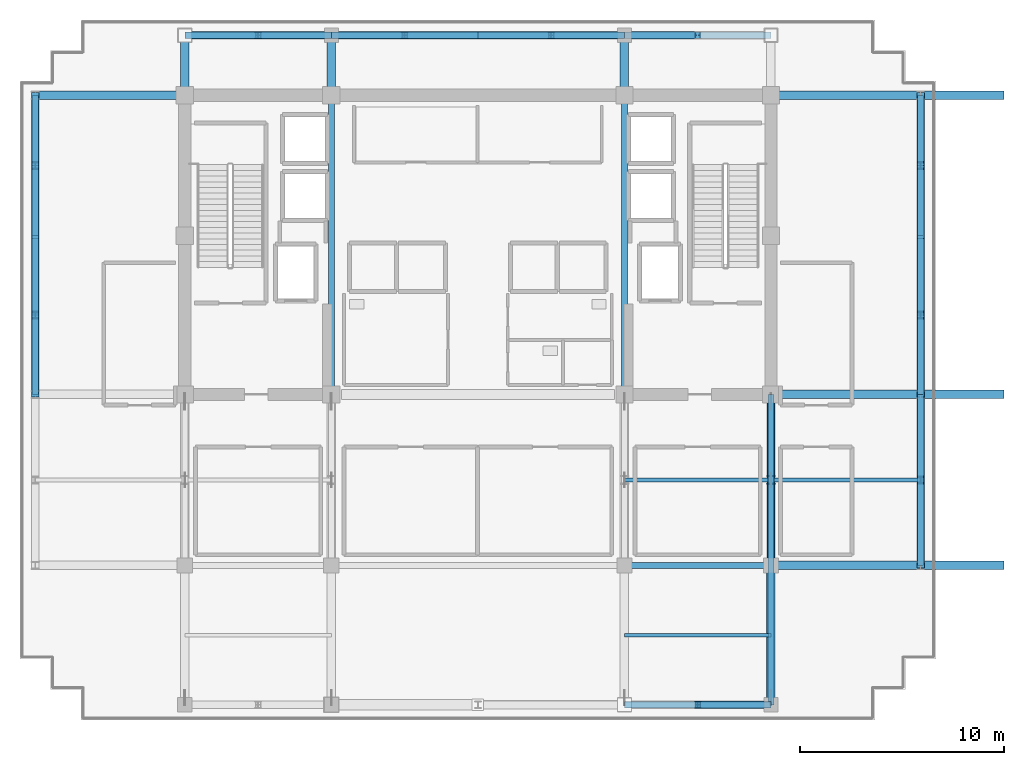
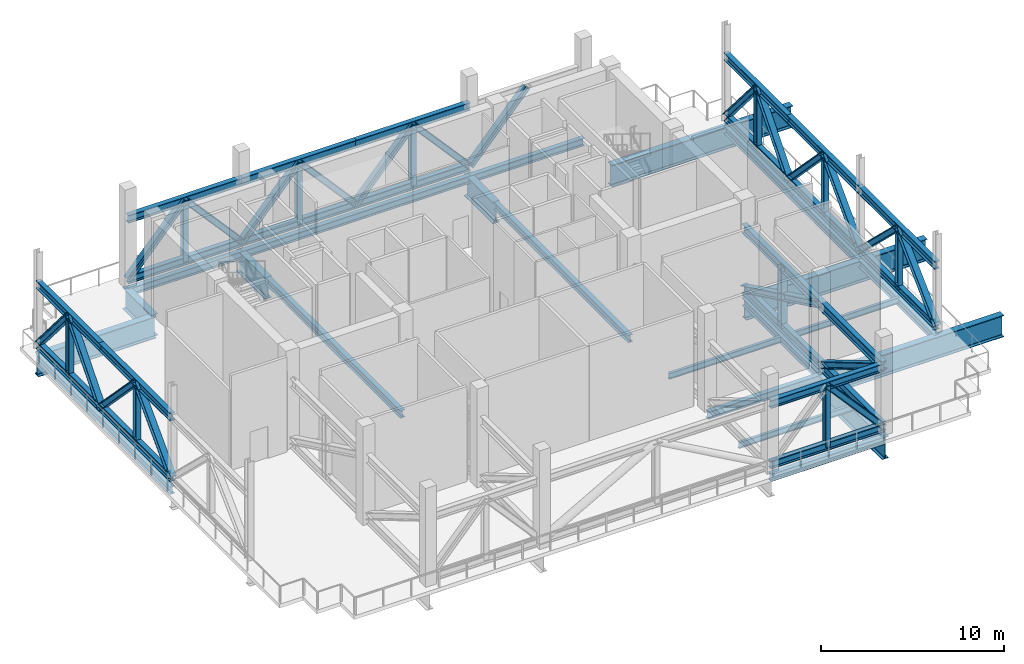
# One storey, part 2 of 11: 50 members, 22 beams.
"""IFC4 building model written with IfcOpenShell, lengths in metres."""

from ifc_helpers import new_model, si_unit, direction, frame, origin, origin_2d, place, context, subcontext, project, spatial, i_section, extrude, source, transform, mapped, material, material_profile, profile_set, type_object, element, save


model = new_model("IFC4")

# Units and contexts
model_context = context("Model", 3, precision=1e-05, world=origin(), true_north=direction((0.0, 1.0)))
body_context = subcontext(model_context, "Body", "Model", "MODEL_VIEW")
ifc_project = project(units=[si_unit("LENGTHUNIT", "METRE"), si_unit("AREAUNIT", "SQUARE_METRE"), si_unit("VOLUMEUNIT", "CUBIC_METRE"), si_unit("PLANEANGLEUNIT", "RADIAN"), si_unit("MASSUNIT", "GRAM", prefix="KILO")], contexts=[model_context])

# Site, building, storey
site_placement = place(None, origin())
site = spatial("IfcSite", under=ifc_project, at=site_placement, CompositionType="ELEMENT")
building_placement = place(site_placement, origin())
building = spatial("IfcBuilding", under=site, at=building_placement, Name="Zarnakvel Exchange Tower", CompositionType="ELEMENT")
storey_placement = place(building_placement, frame((0.0, 0.0, 199.0)))
storey = spatial("IfcBuildingStorey", under=building, at=storey_placement, Name="L56", CompositionType="ELEMENT", Elevation=199.0)

# Beams
ifc_material_1 = material(Name="Steel S355", Category="steel")
ifc_material_profile_1 = material_profile(ifc_material_1, i_section(OverallWidth=0.179931640625, OverallDepth=0.39990234375, WebThickness=0.008544921875, FlangeThickness=0.013427734375, FilletRadius=0.02099609375, at=origin_2d()))
ifc_profile_set_1 = profile_set([ifc_material_profile_1], Name="Steel S355")
beam_type_1 = type_object("IfcBeamType", Name="B-06", PredefinedType="JOIST", material=ifc_profile_set_1)
beam_1_placement = place(storey_placement, frame((7.199951171875, -13.02490234375, -0.449951171875), z_axis=(1.0, 0.0, 0.0), x_axis=(0.0, 1.0, 0.0)))
element("IfcBeam", 1, at=beam_1_placement, inside=storey, type_object=beam_type_1, Name="L56 Composite Floor Secondary Joist", PredefinedType="JOIST", context=body_context, shape_type="SweptSolid", body=[
    extrude(i_section(OverallWidth=0.179931640625, OverallDepth=0.39990234375, WebThickness=0.008544921875, FlangeThickness=0.013427734375, FilletRadius=0.02099609375, at=origin_2d()), origin(), (0.0, 0.0, 1.0), 7.199951171875),
])
beam_2_placement = place(storey_placement, frame((7.199951171875, -5.39990234375, -0.449951171875), z_axis=(1.0, 0.0, 0.0), x_axis=(0.0, 1.0, 0.0)))
element("IfcBeam", 2, at=beam_2_placement, inside=storey, type_object=beam_type_1, Name="L56 Composite Floor Secondary Joist", PredefinedType="JOIST", context=body_context, shape_type="SweptSolid", body=[
    extrude(i_section(OverallWidth=0.179931640625, OverallDepth=0.39990234375, WebThickness=0.008544921875, FlangeThickness=0.013427734375, FilletRadius=0.02099609375, at=origin_2d()), origin(), (0.0, 0.0, 1.0), 7.050048828125),
])
beam_3_placement = place(storey_placement, frame((14.550048828125, -5.39990234375, -0.449951171875), z_axis=(1.0, 0.0, 0.0), x_axis=(0.0, 1.0, 0.0)))
element("IfcBeam", 3, at=beam_3_placement, inside=storey, type_object=beam_type_1, Name="L56 Composite Floor Secondary Joist", PredefinedType="JOIST", context=body_context, shape_type="SweptSolid", body=[
    extrude(i_section(OverallWidth=0.179931640625, OverallDepth=0.39990234375, WebThickness=0.008544921875, FlangeThickness=0.013427734375, FilletRadius=0.02099609375, at=origin_2d()), origin(), (0.0, 0.0, 1.0), 7.199951171875),
])
ifc_material_profile_2 = material_profile(ifc_material_1, i_section(OverallWidth=0.300048828125, OverallDepth=0.5, WebThickness=0.014404296875, FlangeThickness=0.028076171875, FilletRadius=0.027099609375, at=origin_2d()))
ifc_profile_set_2 = profile_set([ifc_material_profile_2], Name="Steel S355")
beam_type_2 = type_object("IfcBeamType", Name="G-06", PredefinedType="BEAM", material=ifc_profile_set_2)
beam_4_placement = place(storey_placement, frame((7.199951171875, -9.60009765625, -0.5), z_axis=(1.0, 0.0, 0.0), x_axis=(0.0, 1.0, 0.0)))
element("IfcBeam", 4, at=beam_4_placement, inside=storey, type_object=beam_type_2, Name="L56 Tower E-W Frame Beam", PredefinedType="BEAM", context=body_context, shape_type="SweptSolid", body=[
    extrude(i_section(OverallWidth=0.300048828125, OverallDepth=0.5, WebThickness=0.014404296875, FlangeThickness=0.028076171875, FilletRadius=0.027099609375, at=origin_2d()), origin(), (0.0, 0.0, 1.0), 7.199951171875),
])
for number, where, z_axis, x_axis, name in (
    (5, (-7.199951171875, -1.199951171875, -0.5), (0.0, 1.0, 0.0), (-1.0, 0.0, 0.0), "L56 Tower N-S Frame Beam"),
    (6, (7.199951171875, -1.199951171875, -0.5), (0.0, 1.0, 0.0), (-1.0, 0.0, 0.0), "L56 Tower N-S Frame Beam"),
):
    element("IfcBeam", number, at=place(storey_placement, frame(where, z_axis=z_axis, x_axis=x_axis)), inside=storey, type_object=beam_type_2, Name=name, PredefinedType="BEAM", context=body_context, shape_type="SweptSolid", body=[
        extrude(i_section(OverallWidth=0.300048828125, OverallDepth=0.5, WebThickness=0.014404296875, FlangeThickness=0.028076171875, FilletRadius=0.027099609375, at=origin_2d()), origin(), (0.0, 0.0, 1.0), 14.699951171875),
    ])
beam_5_placement = place(storey_placement, frame((14.39990234375, -9.60009765625, -0.5), z_axis=(0.0, 1.0, 0.0), x_axis=(-1.0, 0.0, 0.0)))
element("IfcBeam", 7, at=beam_5_placement, inside=storey, type_object=beam_type_2, Name="L56 Tower N-S Frame Beam", PredefinedType="BEAM", context=body_context, shape_type="SweptSolid", body=[
    extrude(i_section(OverallWidth=0.300048828125, OverallDepth=0.5, WebThickness=0.014404296875, FlangeThickness=0.028076171875, FilletRadius=0.027099609375, at=origin_2d()), origin(), (0.0, 0.0, 1.0), 8.400146484375),
])
ifc_material_profile_3 = material_profile(ifc_material_1, i_section(OverallWidth=0.300048828125, OverallDepth=0.5, WebThickness=0.014404296875, FlangeThickness=0.028076171875, FilletRadius=0.027099609375, at=origin_2d()))
ifc_profile_set_3 = profile_set([ifc_material_profile_3], Name="Steel S355")
beam_type_3 = type_object("IfcBeamType", Name="SP-02", PredefinedType="SPANDREL", material=ifc_profile_set_3)
for number, where, z_axis, x_axis, name in (
    (8, (7.199951171875, -16.449951171875, -0.5), (1.0, 0.0, 0.0), (0.0, 1.0, 0.0), "L56 Tower E-W Frame Beam"),
    (9, (-14.39990234375, 16.449951171875, -0.5), (1.0, 0.0, 0.0), (0.0, 1.0, 0.0), "L56 Tower E-W Frame Beam"),
):
    element("IfcBeam", number, at=place(storey_placement, frame(where, z_axis=z_axis, x_axis=x_axis)), inside=storey, type_object=beam_type_3, Name=name, PredefinedType="SPANDREL", context=body_context, shape_type="SweptSolid", body=[
        extrude(i_section(OverallWidth=0.300048828125, OverallDepth=0.5, WebThickness=0.014404296875, FlangeThickness=0.028076171875, FilletRadius=0.027099609375, at=origin_2d()), origin(), (0.0, 0.0, 1.0), 7.199951171875),
    ])
beam_6_placement = place(storey_placement, frame((-7.199951171875, 16.449951171875, -0.5), z_axis=(1.0, 0.0, 0.0), x_axis=(0.0, 1.0, 0.0)))
element("IfcBeam", 10, at=beam_6_placement, inside=storey, type_object=beam_type_3, Name="L56 Tower E-W Frame Beam", PredefinedType="SPANDREL", context=body_context, shape_type="SweptSolid", body=[
    extrude(i_section(OverallWidth=0.300048828125, OverallDepth=0.5, WebThickness=0.014404296875, FlangeThickness=0.028076171875, FilletRadius=0.027099609375, at=origin_2d()), origin(), (0.0, 0.0, 1.0), 14.39990234375),
])
beam_7_placement = place(storey_placement, frame((7.199951171875, 16.449951171875, -0.5), z_axis=(1.0, 0.0, 0.0), x_axis=(0.0, 1.0, 0.0)))
element("IfcBeam", 11, at=beam_7_placement, inside=storey, type_object=beam_type_3, Name="L56 Tower E-W Frame Beam", PredefinedType="SPANDREL", context=body_context, shape_type="SweptSolid", body=[
    extrude(i_section(OverallWidth=0.300048828125, OverallDepth=0.5, WebThickness=0.014404296875, FlangeThickness=0.028076171875, FilletRadius=0.027099609375, at=origin_2d()), origin(), (0.0, 0.0, 1.0), 7.199951171875),
])
beam_8_placement = place(storey_placement, frame((-21.75, -1.199951171875, -0.5), z_axis=(0.0, 1.0, 0.0), x_axis=(-1.0, 0.0, 0.0)))
element("IfcBeam", 12, at=beam_8_placement, inside=storey, type_object=beam_type_3, Name="L56 Tower N-S Frame Beam", PredefinedType="SPANDREL", context=body_context, shape_type="SweptSolid", body=[
    extrude(i_section(OverallWidth=0.300048828125, OverallDepth=0.5, WebThickness=0.014404296875, FlangeThickness=0.028076171875, FilletRadius=0.027099609375, at=origin_2d()), origin(), (0.0, 0.0, 1.0), 14.699951171875),
])
beam_9_placement = place(storey_placement, frame((21.75, -9.60009765625, -0.5), z_axis=(0.0, 1.0, 0.0), x_axis=(-1.0, 0.0, 0.0)))
element("IfcBeam", 13, at=beam_9_placement, inside=storey, type_object=beam_type_3, Name="L56 Tower N-S Frame Beam", PredefinedType="SPANDREL", context=body_context, shape_type="SweptSolid", body=[
    extrude(i_section(OverallWidth=0.300048828125, OverallDepth=0.5, WebThickness=0.014404296875, FlangeThickness=0.028076171875, FilletRadius=0.027099609375, at=origin_2d()), origin(), (0.0, 0.0, 1.0), 8.400146484375),
])
beam_10_placement = place(storey_placement, frame((21.75, -1.199951171875, -0.5), z_axis=(0.0, 1.0, 0.0), x_axis=(-1.0, 0.0, 0.0)))
element("IfcBeam", 14, at=beam_10_placement, inside=storey, type_object=beam_type_3, Name="L56 Tower N-S Frame Beam", PredefinedType="SPANDREL", context=body_context, shape_type="SweptSolid", body=[
    extrude(i_section(OverallWidth=0.300048828125, OverallDepth=0.5, WebThickness=0.014404296875, FlangeThickness=0.028076171875, FilletRadius=0.027099609375, at=origin_2d()), origin(), (0.0, 0.0, 1.0), 14.699951171875),
])
ifc_material_2 = material(Name="Steel S460", Category="steel")
ifc_material_profile_4 = material_profile(ifc_material_2, i_section(OverallWidth=0.419921875, OverallDepth=1.449951171875, WebThickness=0.02392578125, FlangeThickness=0.0400390625, FilletRadius=0.030029296875, at=origin_2d()))
ifc_profile_set_4 = profile_set([ifc_material_profile_4], Name="Steel S460")
beam_type_4 = type_object("IfcBeamType", Name="TG-01", PredefinedType="BEAM", material=ifc_profile_set_4)
for number, where, z_axis, x_axis, name in (
    (15, (-14.39990234375, 13.5, -0.97509765625), (0.0, 1.0, 0.0), (-1.0, 0.0, 0.0), "L56 Setback N-S Transfer Girder TN-4"),
    (16, (-7.199951171875, 13.5, -0.97509765625), (0.0, 1.0, 0.0), (-1.0, 0.0, 0.0), "L56 Setback N-S Transfer Girder TN-5"),
    (17, (7.199951171875, 13.5, -0.97509765625), (0.0, 1.0, 0.0), (-1.0, 0.0, 0.0), "L56 Setback N-S Transfer Girder TN-8"),
):
    element("IfcBeam", number, at=place(storey_placement, frame(where, z_axis=z_axis, x_axis=x_axis)), inside=storey, type_object=beam_type_4, Name=name, PredefinedType="BEAM", context=body_context, shape_type="SweptSolid", body=[
        extrude(i_section(OverallWidth=0.419921875, OverallDepth=1.449951171875, WebThickness=0.02392578125, FlangeThickness=0.0400390625, FilletRadius=0.030029296875, at=origin_2d()), origin(), (0.0, 0.0, 1.0), 3.14990234375),
    ])
beam_11_placement = place(storey_placement, frame((14.39990234375, -16.64990234375, -0.97509765625), z_axis=(0.0, 1.0, 0.0), x_axis=(-1.0, 0.0, 0.0)))
element("IfcBeam", 18, at=beam_11_placement, inside=storey, type_object=beam_type_4, Name="L56 Setback N-S Transfer Girder TS-9", PredefinedType="BEAM", context=body_context, shape_type="SweptSolid", body=[
    extrude(i_section(OverallWidth=0.419921875, OverallDepth=1.449951171875, WebThickness=0.02392578125, FlangeThickness=0.0400390625, FilletRadius=0.030029296875, at=origin_2d()), origin(), (0.0, 0.0, 1.0), 7.0498046875),
])
for number, where, z_axis, x_axis, name in (
    (19, (14.39990234375, -9.60009765625, -0.97509765625), (1.0, 0.0, 0.0), (0.0, 1.0, 0.0), "L56 Setback E-W Transfer Girder TE-C"),
    (20, (14.39990234375, -1.199951171875, -0.97509765625), (1.0, 0.0, 0.0), (0.0, 1.0, 0.0), "L56 Setback E-W Transfer Girder TE-D"),
):
    element("IfcBeam", number, at=place(storey_placement, frame(where, z_axis=z_axis, x_axis=x_axis)), inside=storey, type_object=beam_type_4, Name=name, PredefinedType="BEAM", context=body_context, shape_type="SweptSolid", body=[
        extrude(i_section(OverallWidth=0.419921875, OverallDepth=1.449951171875, WebThickness=0.02392578125, FlangeThickness=0.0400390625, FilletRadius=0.030029296875, at=origin_2d()), origin(), (0.0, 0.0, 1.0), 11.4501953125),
    ])
beam_12_placement = place(storey_placement, frame((-21.85009765625, 13.5, -0.97509765625), z_axis=(1.0, 0.0, 0.0), x_axis=(0.0, 1.0, 0.0)))
element("IfcBeam", 21, at=beam_12_placement, inside=storey, type_object=beam_type_4, Name="L56 Setback E-W Transfer Girder TW-F", PredefinedType="BEAM", context=body_context, shape_type="SweptSolid", body=[
    extrude(i_section(OverallWidth=0.419921875, OverallDepth=1.449951171875, WebThickness=0.02392578125, FlangeThickness=0.0400390625, FilletRadius=0.030029296875, at=origin_2d()), origin(), (0.0, 0.0, 1.0), 7.4501953125),
])
beam_13_placement = place(storey_placement, frame((14.39990234375, 13.5, -0.97509765625), z_axis=(1.0, 0.0, 0.0), x_axis=(0.0, 1.0, 0.0)))
element("IfcBeam", 22, at=beam_13_placement, inside=storey, type_object=beam_type_4, Name="L56 Setback E-W Transfer Girder TE-F", PredefinedType="BEAM", context=body_context, shape_type="SweptSolid", body=[
    extrude(i_section(OverallWidth=0.419921875, OverallDepth=1.449951171875, WebThickness=0.02392578125, FlangeThickness=0.0400390625, FilletRadius=0.030029296875, at=origin_2d()), origin(), (0.0, 0.0, 1.0), 11.4501953125),
])

# Members
ifc_material_profile_5 = material_profile(ifc_material_2, i_section(OverallWidth=0.412109375, OverallDepth=0.425048828125, WebThickness=0.02587890625, FlangeThickness=0.0390625, FilletRadius=0.014892578125, at=origin_2d()))
ifc_profile_set_5 = profile_set([ifc_material_profile_5], Name="Steel S460")
member_type_1 = type_object("IfcMemberType", Name="OT-01", PredefinedType="BRACE", material=ifc_profile_set_5)
shared_shape_1 = source(origin(), body_context, "Body", "SweptSolid", [
    extrude(i_section(OverallWidth=0.412109375, OverallDepth=0.425048828125, WebThickness=0.02587890625, FlangeThickness=0.0390625, FilletRadius=0.014892578125, at=origin_2d()), origin(), (0.0, 0.0, 1.0), 9.325439453125),
])
member_1_placement = place(storey_placement, frame((14.39990234375, -1.199951171875, 0.35009765625), z_axis=(0.0, -0.900779837263, 0.43427604675), x_axis=(1.0, 0.0, 0.0)))
element("IfcMember", 23, at=member_1_placement, inside=storey, type_object=member_type_1, Name="L56 Outrigger Inner Diagonal 1 Grid 9", PredefinedType="BRACE", context=body_context, shape_type="MappedRepresentation", body=[
    mapped(shared_shape_1, transform((0.0, 0.0, 0.0), x_axis=(1.0, 0.0, 0.0), y_axis=(0.0, 1.0, 0.0), z_axis=(0.0, 0.0, 1.0), scale=1.0)),
])
ifc_material_profile_6 = material_profile(ifc_material_1, i_section(OverallWidth=0.305908203125, OverallDepth=0.52392578125, WebThickness=0.02099609375, FlangeThickness=0.0400390625, FilletRadius=0.027099609375, at=origin_2d()))
ifc_profile_set_6 = profile_set([ifc_material_profile_6], Name="Steel S355")
member_type_2 = type_object("IfcMemberType", Name="BT-02", PredefinedType="CHORD", material=ifc_profile_set_6)
shared_shape_2 = source(origin(), body_context, "Body", "SweptSolid", [
    extrude(i_section(OverallWidth=0.305908203125, OverallDepth=0.52392578125, WebThickness=0.02099609375, FlangeThickness=0.0400390625, FilletRadius=0.027099609375, at=origin_2d()), origin(), (0.0, 0.0, 1.0), 7.199951171875),
])
for number, where, z_axis, x_axis, name in (
    (24, (7.199951171875, -16.449951171875, 0.35009765625), (1.0, 0.0, 0.0), (0.0, 1.0, 0.0), "L56 Belt Truss Bottom Chord S-E1"),
    (25, (7.199951171875, -16.449951171875, 4.39990234375), (1.0, 0.0, 0.0), (0.0, 1.0, 0.0), "L56 Belt Truss Top Chord S-E1"),
    (26, (-14.39990234375, 16.449951171875, 0.35009765625), (1.0, 0.0, 0.0), (0.0, 1.0, 0.0), "L56 Belt Truss Bottom Chord N-W1"),
    (27, (-14.39990234375, 16.449951171875, 4.39990234375), (1.0, 0.0, 0.0), (0.0, 1.0, 0.0), "L56 Belt Truss Top Chord N-W1"),
    (28, (-7.199951171875, 16.449951171875, 0.35009765625), (1.0, 0.0, 0.0), (0.0, 1.0, 0.0), "L56 Belt Truss Bottom Chord N-C1"),
    (29, (-7.199951171875, 16.449951171875, 4.39990234375), (1.0, 0.0, 0.0), (0.0, 1.0, 0.0), "L56 Belt Truss Top Chord N-C1"),
    (30, (0.0, 16.449951171875, 0.35009765625), (1.0, 0.0, 0.0), (0.0, 1.0, 0.0), "L56 Belt Truss Bottom Chord N-C2"),
    (31, (0.0, 16.449951171875, 4.39990234375), (1.0, 0.0, 0.0), (0.0, 1.0, 0.0), "L56 Belt Truss Top Chord N-C2"),
):
    element("IfcMember", number, at=place(storey_placement, frame(where, z_axis=z_axis, x_axis=x_axis)), inside=storey, type_object=member_type_2, Name=name, PredefinedType="CHORD", context=body_context, shape_type="MappedRepresentation", body=[
        mapped(shared_shape_2, transform((0.0, 0.0, 0.0), x_axis=(1.0, 0.0, 0.0), y_axis=(0.0, 1.0, 0.0), z_axis=(0.0, 0.0, 1.0), scale=1.0)),
    ])
ifc_material_profile_7 = material_profile(ifc_material_1, i_section(OverallWidth=0.3740234375, OverallDepth=0.364013671875, WebThickness=0.01806640625, FlangeThickness=0.027587890625, FilletRadius=0.014892578125, at=origin_2d()))
ifc_profile_set_7 = profile_set([ifc_material_profile_7], Name="Steel S355")
member_type_3 = type_object("IfcMemberType", Name="BT-01", PredefinedType="BRACE", material=ifc_profile_set_7)
shared_shape_3 = source(origin(), body_context, "Body", "SweptSolid", [
    extrude(i_section(OverallWidth=0.3740234375, OverallDepth=0.364013671875, WebThickness=0.01806640625, FlangeThickness=0.027587890625, FilletRadius=0.014892578125, at=origin_2d()), origin(), (0.0, 0.0, 1.0), 5.418701171875),
])
for number, where, z_axis, x_axis, name in (
    (32, (-7.199951171875, 16.449951171875, 0.35009765625), (-0.664391803991, 0.0, 0.747384459826), (0.0, -1.0, 0.0), "L56 Belt Truss Chevron Right N-W1"),
    (33, (0.0, 16.449951171875, 0.35009765625), (-0.664391803991, 0.0, 0.747384459826), (0.0, -1.0, 0.0), "L56 Belt Truss Chevron Right N-C1"),
    (34, (0.0, 16.449951171875, 0.35009765625), (0.664391803991, 0.0, 0.747384459826), (0.0, 1.0, 0.0), "L56 Belt Truss Chevron Left N-C2"),
    (35, (7.199951171875, 16.449951171875, 0.35009765625), (0.664391803991, 0.0, 0.747384459826), (0.0, 1.0, 0.0), "L56 Belt Truss Chevron Left N-E1"),
):
    element("IfcMember", number, at=place(storey_placement, frame(where, z_axis=z_axis, x_axis=x_axis)), inside=storey, type_object=member_type_3, Name=name, PredefinedType="BRACE", context=body_context, shape_type="MappedRepresentation", body=[
        mapped(shared_shape_3, transform((0.0, 0.0, 0.0), x_axis=(1.0, 0.0, 0.0), y_axis=(0.0, 1.0, 0.0), z_axis=(0.0, 0.0, 1.0), scale=1.0)),
    ])
shared_shape_4 = source(origin(), body_context, "Body", "SweptSolid", [
    extrude(i_section(OverallWidth=0.305908203125, OverallDepth=0.52392578125, WebThickness=0.02099609375, FlangeThickness=0.0400390625, FilletRadius=0.027099609375, at=origin_2d()), origin(), (0.0, 0.0, 1.0), 8.400146484375),
])
for number, where, z_axis, x_axis, name in (
    (36, (21.75, -9.60009765625, 0.35009765625), (0.0, 1.0, 0.0), (-1.0, 0.0, 0.0), "L56 Belt Truss Bottom Chord E-1"),
    (37, (21.75, -9.60009765625, 4.39990234375), (0.0, 1.0, 0.0), (-1.0, 0.0, 0.0), "L56 Belt Truss Top Chord E-1"),
):
    element("IfcMember", number, at=place(storey_placement, frame(where, z_axis=z_axis, x_axis=x_axis)), inside=storey, type_object=member_type_2, Name=name, PredefinedType="CHORD", context=body_context, shape_type="MappedRepresentation", body=[
        mapped(shared_shape_4, transform((0.0, 0.0, 0.0), x_axis=(1.0, 0.0, 0.0), y_axis=(0.0, 1.0, 0.0), z_axis=(0.0, 0.0, 1.0), scale=1.0)),
    ])
shared_shape_5 = source(origin(), body_context, "Body", "SweptSolid", [
    extrude(i_section(OverallWidth=0.3740234375, OverallDepth=0.364013671875, WebThickness=0.01806640625, FlangeThickness=0.027587890625, FilletRadius=0.014892578125, at=origin_2d()), origin(), (0.0, 0.0, 1.0), 5.834716796875),
])
member_2_placement = place(storey_placement, frame((21.75, -9.60009765625, 0.35009765625), z_axis=(0.0, 0.719877149992, 0.694101497563), x_axis=(-1.0, 0.0, 0.0)))
element("IfcMember", 38, at=member_2_placement, inside=storey, type_object=member_type_3, Name="L56 Belt Truss Chevron Left E-1", PredefinedType="BRACE", context=body_context, shape_type="MappedRepresentation", body=[
    mapped(shared_shape_5, transform((0.0, 0.0, 0.0), x_axis=(1.0, 0.0, 0.0), y_axis=(0.0, 1.0, 0.0), z_axis=(0.0, 0.0, 1.0), scale=1.0)),
])
shared_shape_6 = source(origin(), body_context, "Body", "SweptSolid", [
    extrude(i_section(OverallWidth=0.3740234375, OverallDepth=0.364013671875, WebThickness=0.01806640625, FlangeThickness=0.027587890625, FilletRadius=0.014892578125, at=origin_2d()), origin(), (0.0, 0.0, 1.0), 5.83447265625),
])
member_3_placement = place(storey_placement, frame((21.75, -1.199951171875, 0.35009765625), z_axis=(0.0, -0.719856989806, 0.694122405796), x_axis=(1.0, 0.0, 0.0)))
element("IfcMember", 39, at=member_3_placement, inside=storey, type_object=member_type_3, Name="L56 Belt Truss Chevron Right E-1", PredefinedType="BRACE", context=body_context, shape_type="MappedRepresentation", body=[
    mapped(shared_shape_6, transform((0.0, 0.0, 0.0), x_axis=(1.0, 0.0, 0.0), y_axis=(0.0, 1.0, 0.0), z_axis=(0.0, 0.0, 1.0), scale=1.0)),
])
shared_shape_7 = source(origin(), body_context, "Body", "SweptSolid", [
    extrude(i_section(OverallWidth=0.305908203125, OverallDepth=0.52392578125, WebThickness=0.02099609375, FlangeThickness=0.0400390625, FilletRadius=0.027099609375, at=origin_2d()), origin(), (0.0, 0.0, 1.0), 7.800048828125),
])
for number, where, z_axis, x_axis, name in (
    (40, (-21.75, -1.199951171875, 0.35009765625), (0.0, 1.0, 0.0), (-1.0, 0.0, 0.0), "L56 Belt Truss Bottom Chord W-2"),
    (41, (-21.75, -1.199951171875, 4.39990234375), (0.0, 1.0, 0.0), (-1.0, 0.0, 0.0), "L56 Belt Truss Top Chord W-2"),
    (42, (21.75, -1.199951171875, 0.35009765625), (0.0, 1.0, 0.0), (-1.0, 0.0, 0.0), "L56 Belt Truss Bottom Chord E-2"),
    (43, (21.75, -1.199951171875, 4.39990234375), (0.0, 1.0, 0.0), (-1.0, 0.0, 0.0), "L56 Belt Truss Top Chord E-2"),
):
    element("IfcMember", number, at=place(storey_placement, frame(where, z_axis=z_axis, x_axis=x_axis)), inside=storey, type_object=member_type_2, Name=name, PredefinedType="CHORD", context=body_context, shape_type="MappedRepresentation", body=[
        mapped(shared_shape_7, transform((0.0, 0.0, 0.0), x_axis=(1.0, 0.0, 0.0), y_axis=(0.0, 1.0, 0.0), z_axis=(0.0, 0.0, 1.0), scale=1.0)),
    ])
shared_shape_8 = source(origin(), body_context, "Body", "SweptSolid", [
    extrude(i_section(OverallWidth=0.3740234375, OverallDepth=0.364013671875, WebThickness=0.01806640625, FlangeThickness=0.027587890625, FilletRadius=0.014892578125, at=origin_2d()), origin(), (0.0, 0.0, 1.0), 5.62255859375),
])
for number, where, z_axis, x_axis, name in (
    (44, (-21.75, 6.60009765625, 0.35009765625), (0.0, -0.693672561133, 0.720290481633), (1.0, 0.0, 0.0), "L56 Belt Truss Chevron Right W-2"),
    (45, (21.75, 6.60009765625, 0.35009765625), (0.0, -0.693672561133, 0.720290481633), (1.0, 0.0, 0.0), "L56 Belt Truss Chevron Right E-2"),
):
    element("IfcMember", number, at=place(storey_placement, frame(where, z_axis=z_axis, x_axis=x_axis)), inside=storey, type_object=member_type_3, Name=name, PredefinedType="BRACE", context=body_context, shape_type="MappedRepresentation", body=[
        mapped(shared_shape_8, transform((0.0, 0.0, 0.0), x_axis=(1.0, 0.0, 0.0), y_axis=(0.0, 1.0, 0.0), z_axis=(0.0, 0.0, 1.0), scale=1.0)),
    ])
shared_shape_9 = source(origin(), body_context, "Body", "SweptSolid", [
    extrude(i_section(OverallWidth=0.305908203125, OverallDepth=0.52392578125, WebThickness=0.02099609375, FlangeThickness=0.0400390625, FilletRadius=0.027099609375, at=origin_2d()), origin(), (0.0, 0.0, 1.0), 6.89990234375),
])
for number, where, z_axis, x_axis, name in (
    (46, (-21.75, 6.60009765625, 0.35009765625), (0.0, 1.0, 0.0), (-1.0, 0.0, 0.0), "L56 Belt Truss Bottom Chord W-3"),
    (47, (-21.75, 6.60009765625, 4.39990234375), (0.0, 1.0, 0.0), (-1.0, 0.0, 0.0), "L56 Belt Truss Top Chord W-3"),
    (48, (21.75, 6.60009765625, 0.35009765625), (0.0, 1.0, 0.0), (-1.0, 0.0, 0.0), "L56 Belt Truss Bottom Chord E-3"),
    (49, (21.75, 6.60009765625, 4.39990234375), (0.0, 1.0, 0.0), (-1.0, 0.0, 0.0), "L56 Belt Truss Top Chord E-3"),
):
    element("IfcMember", number, at=place(storey_placement, frame(where, z_axis=z_axis, x_axis=x_axis)), inside=storey, type_object=member_type_2, Name=name, PredefinedType="CHORD", context=body_context, shape_type="MappedRepresentation", body=[
        mapped(shared_shape_9, transform((0.0, 0.0, 0.0), x_axis=(1.0, 0.0, 0.0), y_axis=(0.0, 1.0, 0.0), z_axis=(0.0, 0.0, 1.0), scale=1.0)),
    ])
ifc_material_profile_8 = material_profile(ifc_material_2, i_section(OverallWidth=0.304931640625, OverallDepth=0.6201171875, WebThickness=0.02099609375, FlangeThickness=0.0400390625, FilletRadius=0.027099609375, at=origin_2d()))
ifc_profile_set_8 = profile_set([ifc_material_profile_8], Name="Steel S460")
member_type_4 = type_object("IfcMemberType", Name="OT-02", PredefinedType="CHORD", material=ifc_profile_set_8)
shared_shape_10 = source(origin(), body_context, "Body", "SweptSolid", [
    extrude(i_section(OverallWidth=0.304931640625, OverallDepth=0.6201171875, WebThickness=0.02099609375, FlangeThickness=0.0400390625, FilletRadius=0.027099609375, at=origin_2d()), origin(), (0.0, 0.0, 1.0), 15.25),
])
for number, where, z_axis, x_axis, name in (
    (50, (14.39990234375, -16.449951171875, 0.35009765625), (0.0, 1.0, 0.0), (-1.0, 0.0, 0.0), "L56 Outrigger Bottom Chord Grid 9"),
    (51, (14.39990234375, -16.449951171875, 4.39990234375), (0.0, 1.0, 0.0), (-1.0, 0.0, 0.0), "L56 Outrigger Top Chord Grid 9"),
):
    element("IfcMember", number, at=place(storey_placement, frame(where, z_axis=z_axis, x_axis=x_axis)), inside=storey, type_object=member_type_4, Name=name, PredefinedType="CHORD", context=body_context, shape_type="MappedRepresentation", body=[
        mapped(shared_shape_10, transform((0.0, 0.0, 0.0), x_axis=(1.0, 0.0, 0.0), y_axis=(0.0, 1.0, 0.0), z_axis=(0.0, 0.0, 1.0), scale=1.0)),
    ])
ifc_material_profile_9 = material_profile(ifc_material_2, i_section(OverallWidth=0.404052734375, OverallDepth=0.406982421875, WebThickness=0.0224609375, FlangeThickness=0.031982421875, FilletRadius=0.014892578125, at=origin_2d()))
ifc_profile_set_9 = profile_set([ifc_material_profile_9], Name="Steel S460")
member_type_5 = type_object("IfcMemberType", Name="OT-03", PredefinedType="STRUT", material=ifc_profile_set_9)
shared_shape_11 = source(origin(), body_context, "Body", "SweptSolid", [
    extrude(i_section(OverallWidth=0.404052734375, OverallDepth=0.406982421875, WebThickness=0.0224609375, FlangeThickness=0.031982421875, FilletRadius=0.014892578125, at=origin_2d()), origin(), (0.0, 0.0, 1.0), 4.0498046875),
])
member_4_placement = place(storey_placement, frame((14.39990234375, -5.39990234375, 0.35009765625), z_axis=(0.0, 0.0, 1.0), x_axis=(1.0, 0.0, 0.0)))
element("IfcMember", 52, at=member_4_placement, inside=storey, type_object=member_type_5, Name="L56 Outrigger Web Post Grid 9", PredefinedType="STRUT", context=body_context, shape_type="MappedRepresentation", body=[
    mapped(shared_shape_11, transform((0.0, 0.0, 0.0), x_axis=(1.0, 0.0, 0.0), y_axis=(0.0, 1.0, 0.0), z_axis=(0.0, 0.0, 1.0), scale=1.0)),
])
shared_shape_12 = source(origin(), body_context, "Body", "SweptSolid", [
    extrude(i_section(OverallWidth=0.412109375, OverallDepth=0.425048828125, WebThickness=0.02587890625, FlangeThickness=0.0390625, FilletRadius=0.014892578125, at=origin_2d()), origin(), (0.0, 0.0, 1.0), 7.95751953125),
])
member_5_placement = place(storey_placement, frame((14.39990234375, -9.60009765625, 0.35009765625), z_axis=(0.0, -0.860807399743, 0.508930860282), x_axis=(1.0, 0.0, 0.0)))
element("IfcMember", 53, at=member_5_placement, inside=storey, type_object=member_type_1, Name="L56 Outrigger Outer Diagonal 2 Grid 9", PredefinedType="BRACE", context=body_context, shape_type="MappedRepresentation", body=[
    mapped(shared_shape_12, transform((0.0, 0.0, 0.0), x_axis=(1.0, 0.0, 0.0), y_axis=(0.0, 1.0, 0.0), z_axis=(0.0, 0.0, 1.0), scale=1.0)),
])
ifc_material_profile_10 = material_profile(ifc_material_1, i_section(OverallWidth=0.30908203125, OverallDepth=0.35888671875, WebThickness=0.02099609375, FlangeThickness=0.033935546875, FilletRadius=0.014892578125, at=origin_2d()))
ifc_profile_set_10 = profile_set([ifc_material_profile_10], Name="Steel S355")
member_type_6 = type_object("IfcMemberType", Name="BT-03", PredefinedType="STRUT", material=ifc_profile_set_10)
shared_shape_13 = source(origin(), body_context, "Body", "SweptSolid", [
    extrude(i_section(OverallWidth=0.30908203125, OverallDepth=0.35888671875, WebThickness=0.02099609375, FlangeThickness=0.033935546875, FilletRadius=0.014892578125, at=origin_2d()), origin(), (0.0, 0.0, 1.0), 4.0498046875),
])
for number, where, z_axis, x_axis, name in (
    (54, (10.800048828125, -16.449951171875, 0.35009765625), (0.0, 0.0, 1.0), (1.0, 0.0, 0.0), "L56 Belt Truss Vertical Post S-E1"),
    (55, (-10.800048828125, 16.449951171875, 0.35009765625), (0.0, 0.0, 1.0), (1.0, 0.0, 0.0), "L56 Belt Truss Vertical Post N-W1"),
    (56, (-3.60009765625, 16.449951171875, 0.35009765625), (0.0, 0.0, 1.0), (1.0, 0.0, 0.0), "L56 Belt Truss Vertical Post N-C1"),
    (57, (3.60009765625, 16.449951171875, 0.35009765625), (0.0, 0.0, 1.0), (1.0, 0.0, 0.0), "L56 Belt Truss Vertical Post N-C2"),
    (58, (-21.75, 2.699951171875, 0.35009765625), (0.0, 0.0, 1.0), (1.0, 0.0, 0.0), "L56 Belt Truss Vertical Post W-2"),
    (59, (-21.75, 10.050048828125, 0.35009765625), (0.0, 0.0, 1.0), (1.0, 0.0, 0.0), "L56 Belt Truss Vertical Post W-3"),
    (60, (21.75, -5.39990234375, 0.35009765625), (0.0, 0.0, 1.0), (1.0, 0.0, 0.0), "L56 Belt Truss Vertical Post E-1"),
    (61, (21.75, 2.699951171875, 0.35009765625), (0.0, 0.0, 1.0), (1.0, 0.0, 0.0), "L56 Belt Truss Vertical Post E-2"),
    (62, (21.75, 10.050048828125, 0.35009765625), (0.0, 0.0, 1.0), (1.0, 0.0, 0.0), "L56 Belt Truss Vertical Post E-3"),
):
    element("IfcMember", number, at=place(storey_placement, frame(where, z_axis=z_axis, x_axis=x_axis)), inside=storey, type_object=member_type_6, Name=name, PredefinedType="STRUT", context=body_context, shape_type="MappedRepresentation", body=[
        mapped(shared_shape_13, transform((0.0, 0.0, 0.0), x_axis=(1.0, 0.0, 0.0), y_axis=(0.0, 1.0, 0.0), z_axis=(0.0, 0.0, 1.0), scale=1.0)),
    ])
shared_shape_14 = source(origin(), body_context, "Body", "SweptSolid", [
    extrude(i_section(OverallWidth=0.3740234375, OverallDepth=0.364013671875, WebThickness=0.01806640625, FlangeThickness=0.027587890625, FilletRadius=0.014892578125, at=origin_2d()), origin(), (0.0, 0.0, 1.0), 5.41845703125),
])
for number, where, z_axis, x_axis, name in (
    (63, (14.39990234375, -16.449951171875, 0.35009765625), (-0.664366635472, 0.0, 0.747406832771), (0.0, -1.0, 0.0), "L56 Belt Truss Chevron Right S-E1"),
    (64, (-14.39990234375, 16.449951171875, 0.35009765625), (0.664366635472, 0.0, 0.747406832771), (0.0, 1.0, 0.0), "L56 Belt Truss Chevron Left N-W1"),
    (65, (-7.199951171875, 16.449951171875, 0.35009765625), (0.664366635472, 0.0, 0.747406832771), (0.0, 1.0, 0.0), "L56 Belt Truss Chevron Left N-C1"),
    (66, (7.199951171875, 16.449951171875, 0.35009765625), (-0.664366635472, 0.0, 0.747406832771), (0.0, -1.0, 0.0), "L56 Belt Truss Chevron Right N-C2"),
):
    element("IfcMember", number, at=place(storey_placement, frame(where, z_axis=z_axis, x_axis=x_axis)), inside=storey, type_object=member_type_3, Name=name, PredefinedType="BRACE", context=body_context, shape_type="MappedRepresentation", body=[
        mapped(shared_shape_14, transform((0.0, 0.0, 0.0), x_axis=(1.0, 0.0, 0.0), y_axis=(0.0, 1.0, 0.0), z_axis=(0.0, 0.0, 1.0), scale=1.0)),
    ])
shared_shape_15 = source(origin(), body_context, "Body", "SweptSolid", [
    extrude(i_section(OverallWidth=0.3740234375, OverallDepth=0.364013671875, WebThickness=0.01806640625, FlangeThickness=0.027587890625, FilletRadius=0.014892578125, at=origin_2d()), origin(), (0.0, 0.0, 1.0), 5.622314453125),
])
for number, where, z_axis, x_axis, name in (
    (67, (-21.75, -1.199951171875, 0.35009765625), (0.0, 0.693650031785, 0.720312177742), (-1.0, 0.0, 0.0), "L56 Belt Truss Chevron Left W-2"),
    (68, (21.75, -1.199951171875, 0.35009765625), (0.0, 0.693650031785, 0.720312177742), (-1.0, 0.0, 0.0), "L56 Belt Truss Chevron Left E-2"),
):
    element("IfcMember", number, at=place(storey_placement, frame(where, z_axis=z_axis, x_axis=x_axis)), inside=storey, type_object=member_type_3, Name=name, PredefinedType="BRACE", context=body_context, shape_type="MappedRepresentation", body=[
        mapped(shared_shape_15, transform((0.0, 0.0, 0.0), x_axis=(1.0, 0.0, 0.0), y_axis=(0.0, 1.0, 0.0), z_axis=(0.0, 0.0, 1.0), scale=1.0)),
    ])
shared_shape_16 = source(origin(), body_context, "Body", "SweptSolid", [
    extrude(i_section(OverallWidth=0.3740234375, OverallDepth=0.364013671875, WebThickness=0.01806640625, FlangeThickness=0.027587890625, FilletRadius=0.014892578125, at=origin_2d()), origin(), (0.0, 0.0, 1.0), 5.320068359375),
])
for number, where, z_axis, x_axis, name in (
    (69, (-21.75, 6.60009765625, 0.35009765625), (0.0, 0.648479259626, 0.761232323167), (-1.0, 0.0, 0.0), "L56 Belt Truss Chevron Left W-3"),
    (70, (-21.75, 13.5, 0.35009765625), (0.0, -0.648479259626, 0.761232323167), (1.0, 0.0, 0.0), "L56 Belt Truss Chevron Right W-3"),
    (71, (21.75, 6.60009765625, 0.35009765625), (0.0, 0.648479259626, 0.761232323167), (-1.0, 0.0, 0.0), "L56 Belt Truss Chevron Left E-3"),
    (72, (21.75, 13.5, 0.35009765625), (0.0, -0.648479259626, 0.761232323167), (1.0, 0.0, 0.0), "L56 Belt Truss Chevron Right E-3"),
):
    element("IfcMember", number, at=place(storey_placement, frame(where, z_axis=z_axis, x_axis=x_axis)), inside=storey, type_object=member_type_3, Name=name, PredefinedType="BRACE", context=body_context, shape_type="MappedRepresentation", body=[
        mapped(shared_shape_16, transform((0.0, 0.0, 0.0), x_axis=(1.0, 0.0, 0.0), y_axis=(0.0, 1.0, 0.0), z_axis=(0.0, 0.0, 1.0), scale=1.0)),
    ])

save(model, "model.ifc")
